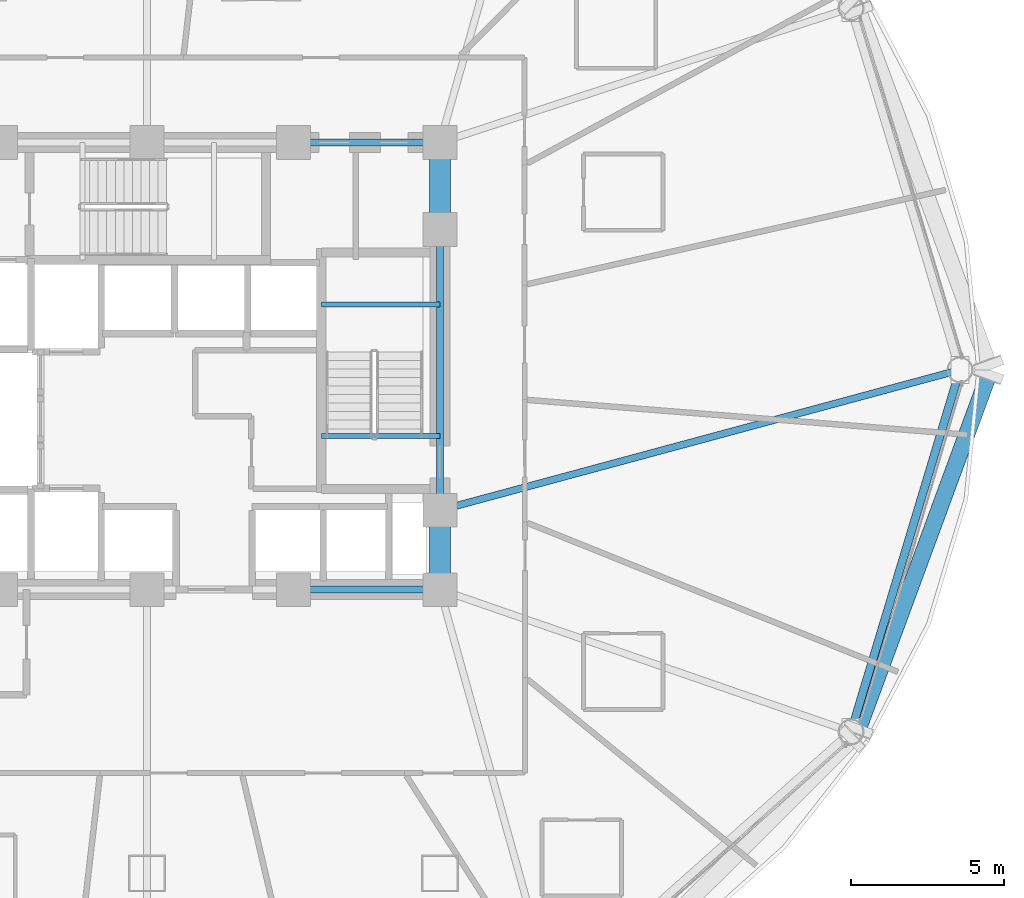
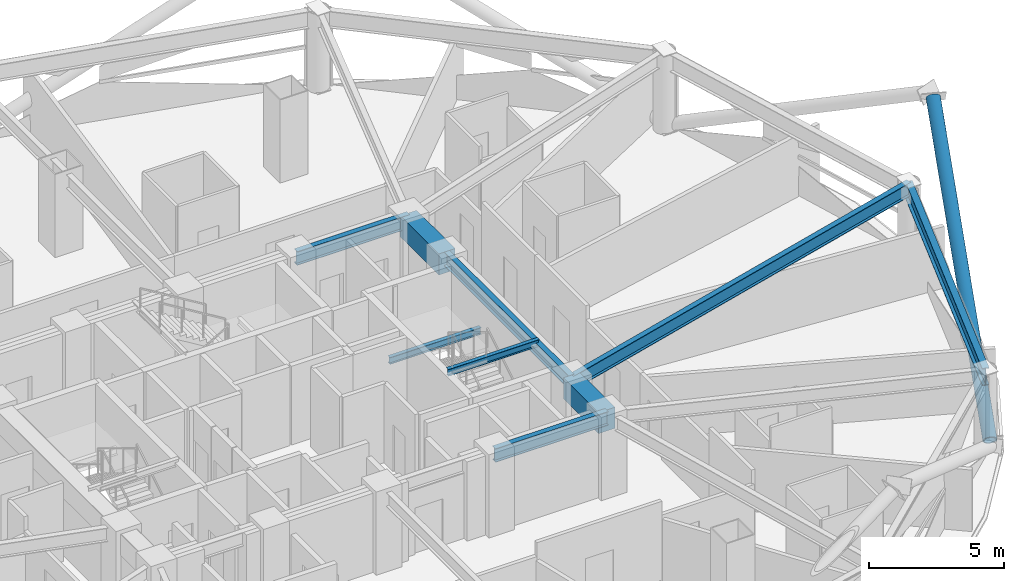
# One storey, part 13 of 30: 9 beams, 1 member.
"""IFC4 building model written with IfcOpenShell, lengths in metres."""

from ifc_helpers import new_model, si_unit, direction, frame, origin, origin_2d, place, context, subcontext, project, spatial, rectangle, hollow_circle, i_section, extrude, material, material_profile, profile_set, type_object, element, save


model = new_model("IFC4")

# Units and contexts
model_context = context("Model", 3, precision=1e-05, world=origin(), true_north=direction((0.0, 1.0)))
body_context = subcontext(model_context, "Body", "Model", "MODEL_VIEW")
ifc_project = project(units=[si_unit("LENGTHUNIT", "METRE"), si_unit("AREAUNIT", "SQUARE_METRE"), si_unit("VOLUMEUNIT", "CUBIC_METRE"), si_unit("PLANEANGLEUNIT", "RADIAN"), si_unit("MASSUNIT", "GRAM", prefix="KILO")], contexts=[model_context])

# Site, building, storey
site_placement = place(None, origin())
site = spatial("IfcSite", under=ifc_project, at=site_placement, CompositionType="ELEMENT")
building_placement = place(site_placement, origin())
building = spatial("IfcBuilding", under=site, at=building_placement, Name="Vantalir Tower", CompositionType="ELEMENT")
storey_placement = place(building_placement, frame((0.0, 0.0, 49.5)))
storey = spatial("IfcBuildingStorey", under=building, at=storey_placement, Name="L11", CompositionType="ELEMENT", Elevation=49.5)

# Beams
ifc_material_1 = material(Name="Concrete C60/75", Category="concrete")
ifc_material_profile_1 = material_profile(ifc_material_1, rectangle(XDim=0.699951171875, YDim=0.949951171875, at=origin_2d()), Name="Concrete C60/75")
ifc_profile_set_1 = profile_set([ifc_material_profile_1], Name="Concrete C60/75")
beam_type_1 = type_object("IfcBeamType", Name="BM-CB-700x950", PredefinedType="USERDEFINED", material=ifc_profile_set_1)
beam_1_placement = place(storey_placement, frame((41.10009765625, 17.800048828125, 3.094970703125), z_axis=(0.0, 1.0, 0.0), x_axis=(-1.0, 0.0, 0.0)))
element("IfcBeam", 1, at=beam_1_placement, inside=storey, type_object=beam_type_1, Name="L11 Core Coupling Girder 05", ObjectType="GIRDER", PredefinedType="USERDEFINED", context=body_context, shape_type="SweptSolid", body=[
    extrude(rectangle(XDim=0.699951171875, YDim=0.949951171875, at=origin_2d()), origin(), (0.0, 0.0, 1.0), 2.599853515625),
])
beam_2_placement = place(storey_placement, frame((41.10009765625, 29.60009765625, 3.094970703125), z_axis=(0.0, 1.0, 0.0), x_axis=(-1.0, 0.0, 0.0)))
element("IfcBeam", 2, at=beam_2_placement, inside=storey, type_object=beam_type_1, Name="L11 Core Coupling Girder 07", ObjectType="GIRDER", PredefinedType="USERDEFINED", context=body_context, shape_type="SweptSolid", body=[
    extrude(rectangle(XDim=0.699951171875, YDim=0.949951171875, at=origin_2d()), origin(), (0.0, 0.0, 1.0), 2.849853515625),
])
ifc_material_2 = material(Name="Steel S355", Category="steel")
ifc_material_profile_2 = material_profile(ifc_material_2, i_section(OverallWidth=0.166015625, OverallDepth=0.306884765625, WebThickness=0.006591796875, FlangeThickness=0.01171875, at=origin_2d()), Name="Steel S355")
ifc_profile_set_2 = profile_set([ifc_material_profile_2], Name="Steel S355")
beam_type_2 = type_object("IfcBeamType", Name="BM-JS-305x165", PredefinedType="JOIST", material=ifc_profile_set_2)
for number, where, z_axis, x_axis, name in (
    (3, (37.2099609375, 22.8349609375, 3.595947265625), (1.0, 0.0, 0.0), (0.0, 1.0, 0.0), "L12 Stair ST2 Well Nosing Trimmer Beam"),
    (4, (37.2099609375, 27.14501953125, 1.52099609375), (1.0, 0.0, 0.0), (0.0, 1.0, 0.0), "L11 Stair ST2 Half-Landing Support Beam"),
):
    element("IfcBeam", number, at=place(storey_placement, frame(where, z_axis=z_axis, x_axis=x_axis)), inside=storey, type_object=beam_type_2, Name=name, PredefinedType="JOIST", context=body_context, shape_type="SweptSolid", body=[
        extrude(i_section(OverallWidth=0.166015625, OverallDepth=0.306884765625, WebThickness=0.006591796875, FlangeThickness=0.01171875, at=origin_2d()), origin(), (0.0, 0.0, 1.0), 3.89013671875),
    ])
ifc_material_profile_3 = material_profile(ifc_material_2, i_section(OverallWidth=0.22998046875, OverallDepth=0.616943359375, WebThickness=0.01318359375, FlangeThickness=0.022216796875, at=origin_2d()), Name="Steel S355")
ifc_profile_set_3 = profile_set([ifc_material_profile_3], Name="Steel S355")
beam_type_3 = type_object("IfcBeamType", Name="BM-RB-610x229", PredefinedType="BEAM", material=ifc_profile_set_3)
beam_3_placement = place(storey_placement, frame((36.300048828125, 17.800048828125, 3.261962890625), z_axis=(1.0, 0.0, 0.0), x_axis=(0.0, 1.0, 0.0)))
element("IfcBeam", 5, at=beam_3_placement, inside=storey, type_object=beam_type_3, Name="L11 Core Coupling Girder 04", PredefinedType="BEAM", context=body_context, shape_type="SweptSolid", body=[
    extrude(i_section(OverallWidth=0.22998046875, OverallDepth=0.616943359375, WebThickness=0.01318359375, FlangeThickness=0.022216796875, at=origin_2d()), origin(), (0.0, 0.0, 1.0), 4.800048828125),
])
beam_4_placement = place(storey_placement, frame((41.10009765625, 20.39990234375, 3.261962890625), z_axis=(0.0, 1.0, 0.0), x_axis=(-1.0, 0.0, 0.0)))
element("IfcBeam", 6, at=beam_4_placement, inside=storey, type_object=beam_type_3, Name="L11 Core Coupling Girder 06", PredefinedType="BEAM", context=body_context, shape_type="SweptSolid", body=[
    extrude(i_section(OverallWidth=0.22998046875, OverallDepth=0.616943359375, WebThickness=0.01318359375, FlangeThickness=0.022216796875, at=origin_2d()), origin(), (0.0, 0.0, 1.0), 9.2001953125),
])
beam_5_placement = place(storey_placement, frame((41.10009765625, 32.449951171875, 3.261962890625), z_axis=(-1.0, 0.0, 0.0), x_axis=(0.0, -1.0, 0.0)))
element("IfcBeam", 7, at=beam_5_placement, inside=storey, type_object=beam_type_3, Name="L11 Core Coupling Girder 08", PredefinedType="BEAM", context=body_context, shape_type="SweptSolid", body=[
    extrude(i_section(OverallWidth=0.22998046875, OverallDepth=0.616943359375, WebThickness=0.01318359375, FlangeThickness=0.022216796875, at=origin_2d()), origin(), (0.0, 0.0, 1.0), 4.800048828125),
])
beam_6_placement = place(storey_placement, frame((58.138916015625, 25.0, 3.261962890625), z_axis=(-0.965434547817, -0.260645609749, 0.0), x_axis=(0.260645609749, -0.965434547817, 0.0)))
element("IfcBeam", 8, at=beam_6_placement, inside=storey, type_object=beam_type_3, Name="L11 Radial Floor Beam 01", PredefinedType="BEAM", context=body_context, shape_type="SweptSolid", body=[
    extrude(i_section(OverallWidth=0.22998046875, OverallDepth=0.616943359375, WebThickness=0.01318359375, FlangeThickness=0.022216796875, at=origin_2d()), origin(), (0.0, 0.0, 1.0), 17.64892578125),
])
ifc_material_3 = material(Name="Steel S460", Category="steel")
ifc_material_profile_4 = material_profile(ifc_material_3, i_section(OverallWidth=0.26806640625, OverallDepth=0.77001953125, WebThickness=0.015625, FlangeThickness=0.025390625, at=origin_2d()), Name="Steel S460")
ifc_profile_set_4 = profile_set([ifc_material_profile_4], Name="Steel S460")
beam_type_4 = type_object("IfcBeamType", Name="BM-RG-762x267", PredefinedType="USERDEFINED", material=ifc_profile_set_4)
beam_7_placement = place(storey_placement, frame((54.570068359375, 13.136962890625, 3.18505859375), z_axis=(0.288083666515, 0.957605242826, 0.0), x_axis=(-0.957605242826, 0.288083666515, 0.0)))
element("IfcBeam", 9, at=beam_7_placement, inside=storey, type_object=beam_type_4, Name="L11 Circumferential Ring Girder 12", ObjectType="GIRDER", PredefinedType="USERDEFINED", context=body_context, shape_type="SweptSolid", body=[
    extrude(i_section(OverallWidth=0.26806640625, OverallDepth=0.77001953125, WebThickness=0.015625, FlangeThickness=0.025390625, at=origin_2d()), origin(), (0.0, 0.0, 1.0), 12.38818359375),
])

# Member
ifc_material_profile_5 = material_profile(ifc_material_3, hollow_circle(Radius=0.27001953125, WallThickness=0.044921875, at=origin_2d()), Name="Steel S460")
ifc_profile_set_5 = profile_set([ifc_material_profile_5], Name="Steel S460")
member_type = type_object("IfcMemberType", Name="MEM-DB-540x45", PredefinedType="BRACE", material=ifc_profile_set_5)
member_placement = place(storey_placement, frame((54.801025390625, 13.221923828125, 0.18798828125), z_axis=(0.301456624879, 0.818062288445, 0.489793829627), x_axis=(-0.938318834505, 0.345771260827, 0.0)))
element("IfcMember", 10, at=member_placement, inside=storey, type_object=member_type, Name="L11 Perimeter S460 Diagrid Brace R34L", PredefinedType="BRACE", context=body_context, shape_type="SweptSolid", body=[
    extrude(hollow_circle(Radius=0.27001953125, WallThickness=0.044921875, at=origin_2d()), origin(), (0.0, 0.0, 1.0), 14.177490234375),
])

save(model, "model.ifc")
